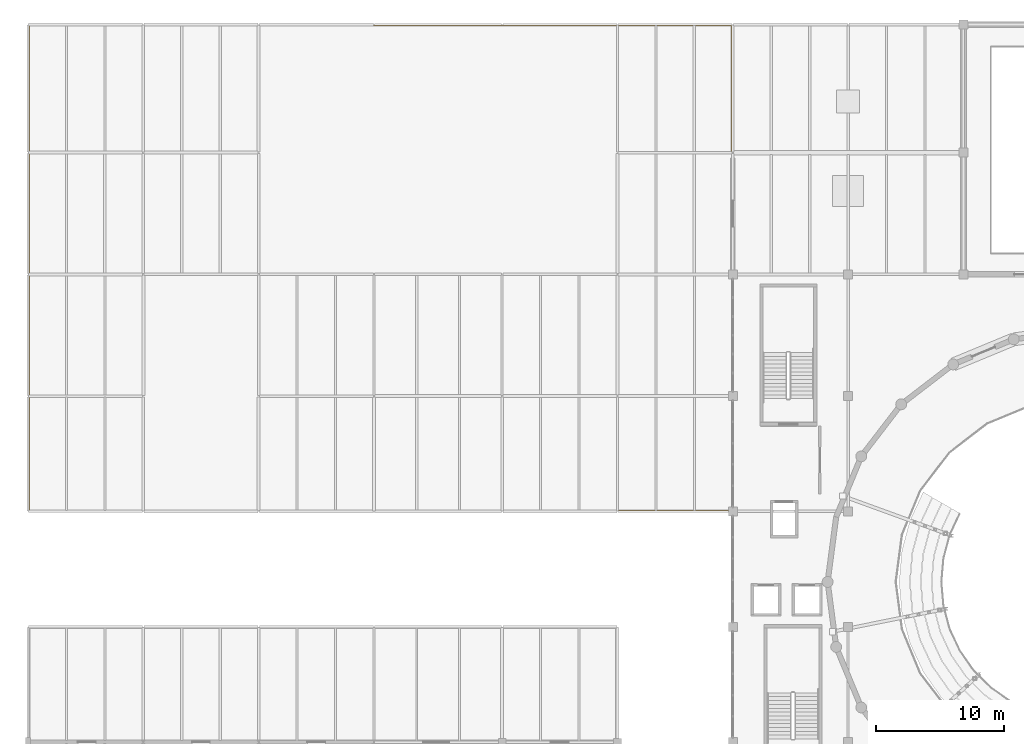
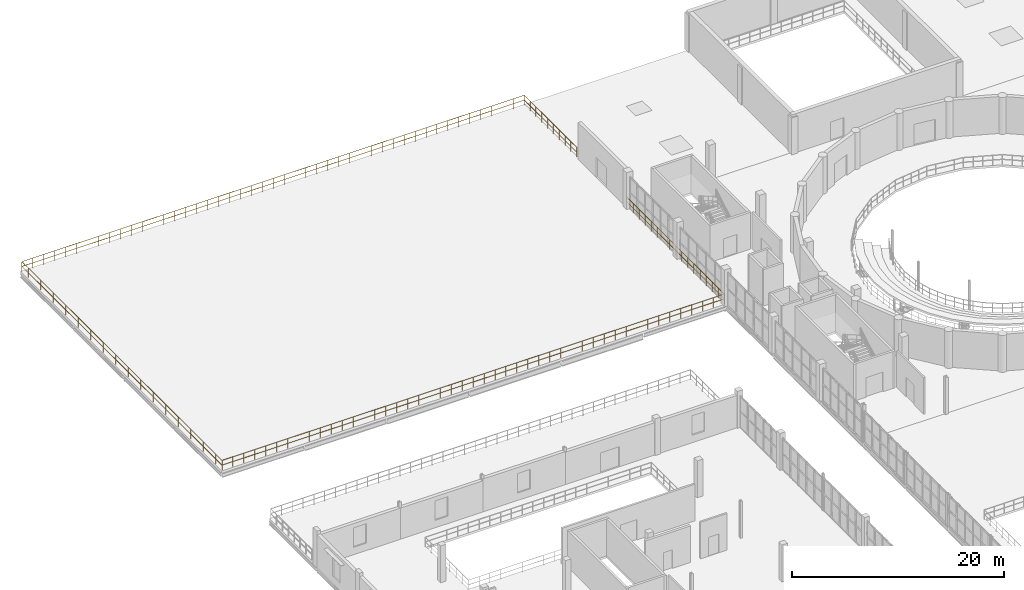
# One storey, part 69 of 73: 1 railing.
"""IFC4 building model written with IfcOpenShell, lengths in metres."""

from ifc_helpers import new_model, si_unit, direction, frame, origin, origin_2d, place, context, subcontext, project, spatial, circle, extrude, material, type_object, element, save


model = new_model("IFC4")

# Units and contexts
model_context = context("Model", 3, precision=1e-05, world=origin(), true_north=direction((0.0, 1.0)))
body_context = subcontext(model_context, "Body", "Model", "MODEL_VIEW")
ifc_project = project(units=[si_unit("LENGTHUNIT", "METRE"), si_unit("AREAUNIT", "SQUARE_METRE"), si_unit("VOLUMEUNIT", "CUBIC_METRE"), si_unit("PLANEANGLEUNIT", "RADIAN"), si_unit("MASSUNIT", "GRAM", prefix="KILO")], contexts=[model_context])

# Site, building, storey
site_placement = place(None, origin())
site = spatial("IfcSite", under=ifc_project, at=site_placement, CompositionType="ELEMENT")
building_placement = place(site_placement, origin())
building = spatial("IfcBuilding", under=site, at=building_placement, Name="Marnock Terrace Opera House", CompositionType="ELEMENT")
storey_placement = place(building_placement, frame((0.0, 0.0, 14.699951171875)))
storey = spatial("IfcBuildingStorey", under=building, at=storey_placement, Name="L03", CompositionType="ELEMENT", Elevation=14.699951171875)

# Railing
ifc_material = material(Name="Basket Range sandstone ashlar masonry", Category="masonry")
railing_type = type_object("IfcRailingType", Name="RL-BALUST-1150", PredefinedType="BALUSTRADE", material=ifc_material)
railing_placement = place(storey_placement, frame((54.89990234375, 84.5, 0.0)))
element("IfcRailing", 1, at=railing_placement, inside=storey, type_object=railing_type, Name="L03 roof-garden balustrade BAL-L03-V4-PERIM", PredefinedType="BALUSTRADE", context=body_context, shape_type="SweptSolid", body=[
    extrude(circle(Radius=0.02392578125, at=origin_2d()), frame((0.0, 0.0, 1.1259765625), z_axis=(0.0, -1.0, 0.0), x_axis=(1.0, 0.0, 0.0)), (0.0, 0.0, 1.0), 18.39990234375),
    extrude(circle(Radius=0.02392578125, at=origin_2d()), frame((0.0, 0.0, 0.574951171875), z_axis=(0.0, -1.0, 0.0), x_axis=(1.0, 0.0, 0.0)), (0.0, 0.0, 1.0), 18.39990234375),
    extrude(circle(Radius=0.02392578125, at=origin_2d()), frame((0.0, -18.39990234375, 1.1259765625), z_axis=(-1.0, 0.0, 0.0), x_axis=(0.0, -1.0, 0.0)), (0.0, 0.0, 1.0), 54.7998046875),
    extrude(circle(Radius=0.02392578125, at=origin_2d()), frame((0.0, -18.39990234375, 0.574951171875), z_axis=(-1.0, 0.0, 0.0), x_axis=(0.0, -1.0, 0.0)), (0.0, 0.0, 1.0), 54.7998046875),
    extrude(circle(Radius=0.02392578125, at=origin_2d()), frame((-54.7998046875, -18.39990234375, 1.1259765625), z_axis=(0.0, 1.0, 0.0), x_axis=(-1.0, 0.0, 0.0)), (0.0, 0.0, 1.0), 37.7998046875),
    extrude(circle(Radius=0.02392578125, at=origin_2d()), frame((-54.7998046875, -18.39990234375, 0.574951171875), z_axis=(0.0, 1.0, 0.0), x_axis=(-1.0, 0.0, 0.0)), (0.0, 0.0, 1.0), 37.7998046875),
    extrude(circle(Radius=0.02392578125, at=origin_2d()), frame((-54.7998046875, 19.39990234375, 1.1259765625), z_axis=(1.0, 0.0, 0.0), x_axis=(0.0, 1.0, 0.0)), (0.0, 0.0, 1.0), 54.7998046875),
    extrude(circle(Radius=0.02392578125, at=origin_2d()), frame((-54.7998046875, 19.39990234375, 0.574951171875), z_axis=(1.0, 0.0, 0.0), x_axis=(0.0, 1.0, 0.0)), (0.0, 0.0, 1.0), 54.7998046875),
    extrude(circle(Radius=0.02392578125, at=origin_2d()), frame((0.0, 19.39990234375, 1.1259765625), z_axis=(0.0, -1.0, 0.0), x_axis=(1.0, 0.0, 0.0)), (0.0, 0.0, 1.0), 9.89990234375),
    extrude(circle(Radius=0.02392578125, at=origin_2d()), frame((0.0, 19.39990234375, 0.574951171875), z_axis=(0.0, -1.0, 0.0), x_axis=(1.0, 0.0, 0.0)), (0.0, 0.0, 1.0), 9.89990234375),
    extrude(circle(Radius=0.02099609375, at=origin_2d()), origin(), (0.0, 0.0, 1.0), 1.101806640625),
    extrude(circle(Radius=0.02099609375, at=origin_2d()), frame((0.0, -1.14990234375, 0.0)), (0.0, 0.0, 1.0), 1.101806640625),
    extrude(circle(Radius=0.02099609375, at=origin_2d()), frame((0.0, -2.300048828125, 0.0)), (0.0, 0.0, 1.0), 1.101806640625),
    extrude(circle(Radius=0.02099609375, at=origin_2d()), frame((0.0, -3.449951171875, 0.0)), (0.0, 0.0, 1.0), 1.101806640625),
    extrude(circle(Radius=0.02099609375, at=origin_2d()), frame((0.0, -4.60009765625, 0.0)), (0.0, 0.0, 1.0), 1.101806640625),
    extrude(circle(Radius=0.02099609375, at=origin_2d()), frame((0.0, -5.75, 0.0)), (0.0, 0.0, 1.0), 1.101806640625),
    extrude(circle(Radius=0.02099609375, at=origin_2d()), frame((0.0, -6.89990234375, 0.0)), (0.0, 0.0, 1.0), 1.101806640625),
    extrude(circle(Radius=0.02099609375, at=origin_2d()), frame((0.0, -8.050048828125, 0.0)), (0.0, 0.0, 1.0), 1.101806640625),
    extrude(circle(Radius=0.02099609375, at=origin_2d()), frame((0.0, -9.199951171875, 0.0)), (0.0, 0.0, 1.0), 1.101806640625),
    extrude(circle(Radius=0.02099609375, at=origin_2d()), frame((0.0, -10.349853515625, 0.0)), (0.0, 0.0, 1.0), 1.101806640625),
    extrude(circle(Radius=0.02099609375, at=origin_2d()), frame((0.0, -11.5, 0.0)), (0.0, 0.0, 1.0), 1.101806640625),
    extrude(circle(Radius=0.02099609375, at=origin_2d()), frame((0.0, -12.64990234375, 0.0)), (0.0, 0.0, 1.0), 1.101806640625),
    extrude(circle(Radius=0.02099609375, at=origin_2d()), frame((0.0, -13.7998046875, 0.0)), (0.0, 0.0, 1.0), 1.101806640625),
    extrude(circle(Radius=0.02099609375, at=origin_2d()), frame((0.0, -14.949951171875, 0.0)), (0.0, 0.0, 1.0), 1.101806640625),
    extrude(circle(Radius=0.02099609375, at=origin_2d()), frame((0.0, -16.099853515625, 0.0)), (0.0, 0.0, 1.0), 1.101806640625),
    extrude(circle(Radius=0.02099609375, at=origin_2d()), frame((0.0, -17.25, 0.0)), (0.0, 0.0, 1.0), 1.101806640625),
    extrude(circle(Radius=0.02099609375, at=origin_2d()), frame((0.0, -18.39990234375, 0.0)), (0.0, 0.0, 1.0), 1.101806640625),
    extrude(circle(Radius=0.02099609375, at=origin_2d()), frame((-1.19140625, -18.39990234375, 0.0)), (0.0, 0.0, 1.0), 1.101806640625),
    extrude(circle(Radius=0.02099609375, at=origin_2d()), frame((-2.382568359375, -18.39990234375, 0.0)), (0.0, 0.0, 1.0), 1.101806640625),
    extrude(circle(Radius=0.02099609375, at=origin_2d()), frame((-3.573974609375, -18.39990234375, 0.0)), (0.0, 0.0, 1.0), 1.101806640625),
    extrude(circle(Radius=0.02099609375, at=origin_2d()), frame((-4.76513671875, -18.39990234375, 0.0)), (0.0, 0.0, 1.0), 1.101806640625),
    extrude(circle(Radius=0.02099609375, at=origin_2d()), frame((-5.95654296875, -18.39990234375, 0.0)), (0.0, 0.0, 1.0), 1.101806640625),
    extrude(circle(Radius=0.02099609375, at=origin_2d()), frame((-7.147705078125, -18.39990234375, 0.0)), (0.0, 0.0, 1.0), 1.101806640625),
    extrude(circle(Radius=0.02099609375, at=origin_2d()), frame((-8.339111328125, -18.39990234375, 0.0)), (0.0, 0.0, 1.0), 1.101806640625),
    extrude(circle(Radius=0.02099609375, at=origin_2d()), frame((-9.530517578125, -18.39990234375, 0.0)), (0.0, 0.0, 1.0), 1.101806640625),
    extrude(circle(Radius=0.02099609375, at=origin_2d()), frame((-10.7216796875, -18.39990234375, 0.0)), (0.0, 0.0, 1.0), 1.101806640625),
    extrude(circle(Radius=0.02099609375, at=origin_2d()), frame((-11.9130859375, -18.39990234375, 0.0)), (0.0, 0.0, 1.0), 1.101806640625),
    extrude(circle(Radius=0.02099609375, at=origin_2d()), frame((-13.104248046875, -18.39990234375, 0.0)), (0.0, 0.0, 1.0), 1.101806640625),
    extrude(circle(Radius=0.02099609375, at=origin_2d()), frame((-14.295654296875, -18.39990234375, 0.0)), (0.0, 0.0, 1.0), 1.101806640625),
    extrude(circle(Radius=0.02099609375, at=origin_2d()), frame((-15.48681640625, -18.39990234375, 0.0)), (0.0, 0.0, 1.0), 1.101806640625),
    extrude(circle(Radius=0.02099609375, at=origin_2d()), frame((-16.67822265625, -18.39990234375, 0.0)), (0.0, 0.0, 1.0), 1.101806640625),
    extrude(circle(Radius=0.02099609375, at=origin_2d()), frame((-17.869384765625, -18.39990234375, 0.0)), (0.0, 0.0, 1.0), 1.101806640625),
    extrude(circle(Radius=0.02099609375, at=origin_2d()), frame((-19.060791015625, -18.39990234375, 0.0)), (0.0, 0.0, 1.0), 1.101806640625),
    extrude(circle(Radius=0.02099609375, at=origin_2d()), frame((-20.252197265625, -18.39990234375, 0.0)), (0.0, 0.0, 1.0), 1.101806640625),
    extrude(circle(Radius=0.02099609375, at=origin_2d()), frame((-21.443359375, -18.39990234375, 0.0)), (0.0, 0.0, 1.0), 1.101806640625),
    extrude(circle(Radius=0.02099609375, at=origin_2d()), frame((-22.634765625, -18.39990234375, 0.0)), (0.0, 0.0, 1.0), 1.101806640625),
    extrude(circle(Radius=0.02099609375, at=origin_2d()), frame((-23.825927734375, -18.39990234375, 0.0)), (0.0, 0.0, 1.0), 1.101806640625),
    extrude(circle(Radius=0.02099609375, at=origin_2d()), frame((-25.017333984375, -18.39990234375, 0.0)), (0.0, 0.0, 1.0), 1.101806640625),
    extrude(circle(Radius=0.02099609375, at=origin_2d()), frame((-26.20849609375, -18.39990234375, 0.0)), (0.0, 0.0, 1.0), 1.101806640625),
    extrude(circle(Radius=0.02099609375, at=origin_2d()), frame((-27.39990234375, -18.39990234375, 0.0)), (0.0, 0.0, 1.0), 1.101806640625),
    extrude(circle(Radius=0.02099609375, at=origin_2d()), frame((-28.59130859375, -18.39990234375, 0.0)), (0.0, 0.0, 1.0), 1.101806640625),
    extrude(circle(Radius=0.02099609375, at=origin_2d()), frame((-29.782470703125, -18.39990234375, 0.0)), (0.0, 0.0, 1.0), 1.101806640625),
    extrude(circle(Radius=0.02099609375, at=origin_2d()), frame((-30.973876953125, -18.39990234375, 0.0)), (0.0, 0.0, 1.0), 1.101806640625),
    extrude(circle(Radius=0.02099609375, at=origin_2d()), frame((-32.1650390625, -18.39990234375, 0.0)), (0.0, 0.0, 1.0), 1.101806640625),
    extrude(circle(Radius=0.02099609375, at=origin_2d()), frame((-33.3564453125, -18.39990234375, 0.0)), (0.0, 0.0, 1.0), 1.101806640625),
    extrude(circle(Radius=0.02099609375, at=origin_2d()), frame((-34.547607421875, -18.39990234375, 0.0)), (0.0, 0.0, 1.0), 1.101806640625),
    extrude(circle(Radius=0.02099609375, at=origin_2d()), frame((-35.739013671875, -18.39990234375, 0.0)), (0.0, 0.0, 1.0), 1.101806640625),
    extrude(circle(Radius=0.02099609375, at=origin_2d()), frame((-36.930419921875, -18.39990234375, 0.0)), (0.0, 0.0, 1.0), 1.101806640625),
    extrude(circle(Radius=0.02099609375, at=origin_2d()), frame((-38.12158203125, -18.39990234375, 0.0)), (0.0, 0.0, 1.0), 1.101806640625),
    extrude(circle(Radius=0.02099609375, at=origin_2d()), frame((-39.31298828125, -18.39990234375, 0.0)), (0.0, 0.0, 1.0), 1.101806640625),
    extrude(circle(Radius=0.02099609375, at=origin_2d()), frame((-40.504150390625, -18.39990234375, 0.0)), (0.0, 0.0, 1.0), 1.101806640625),
    extrude(circle(Radius=0.02099609375, at=origin_2d()), frame((-41.695556640625, -18.39990234375, 0.0)), (0.0, 0.0, 1.0), 1.101806640625),
    extrude(circle(Radius=0.02099609375, at=origin_2d()), frame((-42.88671875, -18.39990234375, 0.0)), (0.0, 0.0, 1.0), 1.101806640625),
    extrude(circle(Radius=0.02099609375, at=origin_2d()), frame((-44.078125, -18.39990234375, 0.0)), (0.0, 0.0, 1.0), 1.101806640625),
    extrude(circle(Radius=0.02099609375, at=origin_2d()), frame((-45.269287109375, -18.39990234375, 0.0)), (0.0, 0.0, 1.0), 1.101806640625),
    extrude(circle(Radius=0.02099609375, at=origin_2d()), frame((-46.460693359375, -18.39990234375, 0.0)), (0.0, 0.0, 1.0), 1.101806640625),
    extrude(circle(Radius=0.02099609375, at=origin_2d()), frame((-47.652099609375, -18.39990234375, 0.0)), (0.0, 0.0, 1.0), 1.101806640625),
    extrude(circle(Radius=0.02099609375, at=origin_2d()), frame((-48.84326171875, -18.39990234375, 0.0)), (0.0, 0.0, 1.0), 1.101806640625),
    extrude(circle(Radius=0.02099609375, at=origin_2d()), frame((-50.03466796875, -18.39990234375, 0.0)), (0.0, 0.0, 1.0), 1.101806640625),
    extrude(circle(Radius=0.02099609375, at=origin_2d()), frame((-51.225830078125, -18.39990234375, 0.0)), (0.0, 0.0, 1.0), 1.101806640625),
    extrude(circle(Radius=0.02099609375, at=origin_2d()), frame((-52.417236328125, -18.39990234375, 0.0)), (0.0, 0.0, 1.0), 1.101806640625),
    extrude(circle(Radius=0.02099609375, at=origin_2d()), frame((-53.6083984375, -18.39990234375, 0.0)), (0.0, 0.0, 1.0), 1.101806640625),
    extrude(circle(Radius=0.02099609375, at=origin_2d()), frame((-54.7998046875, -18.39990234375, 0.0)), (0.0, 0.0, 1.0), 1.101806640625),
    extrude(circle(Radius=0.02099609375, at=origin_2d()), frame((-54.7998046875, -17.21875, 0.0)), (0.0, 0.0, 1.0), 1.101806640625),
    extrude(circle(Radius=0.02099609375, at=origin_2d()), frame((-54.7998046875, -16.037353515625, 0.0)), (0.0, 0.0, 1.0), 1.101806640625),
    extrude(circle(Radius=0.02099609375, at=origin_2d()), frame((-54.7998046875, -14.856201171875, 0.0)), (0.0, 0.0, 1.0), 1.101806640625),
    extrude(circle(Radius=0.02099609375, at=origin_2d()), frame((-54.7998046875, -13.6748046875, 0.0)), (0.0, 0.0, 1.0), 1.101806640625),
    extrude(circle(Radius=0.02099609375, at=origin_2d()), frame((-54.7998046875, -12.49365234375, 0.0)), (0.0, 0.0, 1.0), 1.101806640625),
    extrude(circle(Radius=0.02099609375, at=origin_2d()), frame((-54.7998046875, -11.3125, 0.0)), (0.0, 0.0, 1.0), 1.101806640625),
    extrude(circle(Radius=0.02099609375, at=origin_2d()), frame((-54.7998046875, -10.131103515625, 0.0)), (0.0, 0.0, 1.0), 1.101806640625),
    extrude(circle(Radius=0.02099609375, at=origin_2d()), frame((-54.7998046875, -8.949951171875, 0.0)), (0.0, 0.0, 1.0), 1.101806640625),
    extrude(circle(Radius=0.02099609375, at=origin_2d()), frame((-54.7998046875, -7.768798828125, 0.0)), (0.0, 0.0, 1.0), 1.101806640625),
    extrude(circle(Radius=0.02099609375, at=origin_2d()), frame((-54.7998046875, -6.58740234375, 0.0)), (0.0, 0.0, 1.0), 1.101806640625),
    extrude(circle(Radius=0.02099609375, at=origin_2d()), frame((-54.7998046875, -5.40625, 0.0)), (0.0, 0.0, 1.0), 1.101806640625),
    extrude(circle(Radius=0.02099609375, at=origin_2d()), frame((-54.7998046875, -4.22509765625, 0.0)), (0.0, 0.0, 1.0), 1.101806640625),
    extrude(circle(Radius=0.02099609375, at=origin_2d()), frame((-54.7998046875, -3.043701171875, 0.0)), (0.0, 0.0, 1.0), 1.101806640625),
    extrude(circle(Radius=0.02099609375, at=origin_2d()), frame((-54.7998046875, -1.862548828125, 0.0)), (0.0, 0.0, 1.0), 1.101806640625),
    extrude(circle(Radius=0.02099609375, at=origin_2d()), frame((-54.7998046875, -0.68115234375, 0.0)), (0.0, 0.0, 1.0), 1.101806640625),
    extrude(circle(Radius=0.02099609375, at=origin_2d()), frame((-54.7998046875, 0.5, 0.0)), (0.0, 0.0, 1.0), 1.101806640625),
    extrude(circle(Radius=0.02099609375, at=origin_2d()), frame((-54.7998046875, 1.68115234375, 0.0)), (0.0, 0.0, 1.0), 1.101806640625),
    extrude(circle(Radius=0.02099609375, at=origin_2d()), frame((-54.7998046875, 2.862548828125, 0.0)), (0.0, 0.0, 1.0), 1.101806640625),
    extrude(circle(Radius=0.02099609375, at=origin_2d()), frame((-54.7998046875, 4.043701171875, 0.0)), (0.0, 0.0, 1.0), 1.101806640625),
    extrude(circle(Radius=0.02099609375, at=origin_2d()), frame((-54.7998046875, 5.22509765625, 0.0)), (0.0, 0.0, 1.0), 1.101806640625),
    extrude(circle(Radius=0.02099609375, at=origin_2d()), frame((-54.7998046875, 6.40625, 0.0)), (0.0, 0.0, 1.0), 1.101806640625),
    extrude(circle(Radius=0.02099609375, at=origin_2d()), frame((-54.7998046875, 7.58740234375, 0.0)), (0.0, 0.0, 1.0), 1.101806640625),
    extrude(circle(Radius=0.02099609375, at=origin_2d()), frame((-54.7998046875, 8.768798828125, 0.0)), (0.0, 0.0, 1.0), 1.101806640625),
    extrude(circle(Radius=0.02099609375, at=origin_2d()), frame((-54.7998046875, 9.949951171875, 0.0)), (0.0, 0.0, 1.0), 1.101806640625),
    extrude(circle(Radius=0.02099609375, at=origin_2d()), frame((-54.7998046875, 11.131103515625, 0.0)), (0.0, 0.0, 1.0), 1.101806640625),
    extrude(circle(Radius=0.02099609375, at=origin_2d()), frame((-54.7998046875, 12.3125, 0.0)), (0.0, 0.0, 1.0), 1.101806640625),
    extrude(circle(Radius=0.02099609375, at=origin_2d()), frame((-54.7998046875, 13.49365234375, 0.0)), (0.0, 0.0, 1.0), 1.101806640625),
    extrude(circle(Radius=0.02099609375, at=origin_2d()), frame((-54.7998046875, 14.6748046875, 0.0)), (0.0, 0.0, 1.0), 1.101806640625),
    extrude(circle(Radius=0.02099609375, at=origin_2d()), frame((-54.7998046875, 15.856201171875, 0.0)), (0.0, 0.0, 1.0), 1.101806640625),
    extrude(circle(Radius=0.02099609375, at=origin_2d()), frame((-54.7998046875, 17.037353515625, 0.0)), (0.0, 0.0, 1.0), 1.101806640625),
    extrude(circle(Radius=0.02099609375, at=origin_2d()), frame((-54.7998046875, 18.21875, 0.0)), (0.0, 0.0, 1.0), 1.101806640625),
    extrude(circle(Radius=0.02099609375, at=origin_2d()), frame((-54.7998046875, 19.39990234375, 0.0)), (0.0, 0.0, 1.0), 1.101806640625),
    extrude(circle(Radius=0.02099609375, at=origin_2d()), frame((-53.6083984375, 19.39990234375, 0.0)), (0.0, 0.0, 1.0), 1.101806640625),
    extrude(circle(Radius=0.02099609375, at=origin_2d()), frame((-52.417236328125, 19.39990234375, 0.0)), (0.0, 0.0, 1.0), 1.101806640625),
    extrude(circle(Radius=0.02099609375, at=origin_2d()), frame((-51.225830078125, 19.39990234375, 0.0)), (0.0, 0.0, 1.0), 1.101806640625),
    extrude(circle(Radius=0.02099609375, at=origin_2d()), frame((-50.03466796875, 19.39990234375, 0.0)), (0.0, 0.0, 1.0), 1.101806640625),
    extrude(circle(Radius=0.02099609375, at=origin_2d()), frame((-48.84326171875, 19.39990234375, 0.0)), (0.0, 0.0, 1.0), 1.101806640625),
    extrude(circle(Radius=0.02099609375, at=origin_2d()), frame((-47.652099609375, 19.39990234375, 0.0)), (0.0, 0.0, 1.0), 1.101806640625),
    extrude(circle(Radius=0.02099609375, at=origin_2d()), frame((-46.460693359375, 19.39990234375, 0.0)), (0.0, 0.0, 1.0), 1.101806640625),
    extrude(circle(Radius=0.02099609375, at=origin_2d()), frame((-45.269287109375, 19.39990234375, 0.0)), (0.0, 0.0, 1.0), 1.101806640625),
    extrude(circle(Radius=0.02099609375, at=origin_2d()), frame((-44.078125, 19.39990234375, 0.0)), (0.0, 0.0, 1.0), 1.101806640625),
    extrude(circle(Radius=0.02099609375, at=origin_2d()), frame((-42.88671875, 19.39990234375, 0.0)), (0.0, 0.0, 1.0), 1.101806640625),
    extrude(circle(Radius=0.02099609375, at=origin_2d()), frame((-41.695556640625, 19.39990234375, 0.0)), (0.0, 0.0, 1.0), 1.101806640625),
    extrude(circle(Radius=0.02099609375, at=origin_2d()), frame((-40.504150390625, 19.39990234375, 0.0)), (0.0, 0.0, 1.0), 1.101806640625),
    extrude(circle(Radius=0.02099609375, at=origin_2d()), frame((-39.31298828125, 19.39990234375, 0.0)), (0.0, 0.0, 1.0), 1.101806640625),
    extrude(circle(Radius=0.02099609375, at=origin_2d()), frame((-38.12158203125, 19.39990234375, 0.0)), (0.0, 0.0, 1.0), 1.101806640625),
    extrude(circle(Radius=0.02099609375, at=origin_2d()), frame((-36.930419921875, 19.39990234375, 0.0)), (0.0, 0.0, 1.0), 1.101806640625),
    extrude(circle(Radius=0.02099609375, at=origin_2d()), frame((-35.739013671875, 19.39990234375, 0.0)), (0.0, 0.0, 1.0), 1.101806640625),
    extrude(circle(Radius=0.02099609375, at=origin_2d()), frame((-34.547607421875, 19.39990234375, 0.0)), (0.0, 0.0, 1.0), 1.101806640625),
    extrude(circle(Radius=0.02099609375, at=origin_2d()), frame((-33.3564453125, 19.39990234375, 0.0)), (0.0, 0.0, 1.0), 1.101806640625),
    extrude(circle(Radius=0.02099609375, at=origin_2d()), frame((-32.1650390625, 19.39990234375, 0.0)), (0.0, 0.0, 1.0), 1.101806640625),
    extrude(circle(Radius=0.02099609375, at=origin_2d()), frame((-30.973876953125, 19.39990234375, 0.0)), (0.0, 0.0, 1.0), 1.101806640625),
    extrude(circle(Radius=0.02099609375, at=origin_2d()), frame((-29.782470703125, 19.39990234375, 0.0)), (0.0, 0.0, 1.0), 1.101806640625),
    extrude(circle(Radius=0.02099609375, at=origin_2d()), frame((-28.59130859375, 19.39990234375, 0.0)), (0.0, 0.0, 1.0), 1.101806640625),
    extrude(circle(Radius=0.02099609375, at=origin_2d()), frame((-27.39990234375, 19.39990234375, 0.0)), (0.0, 0.0, 1.0), 1.101806640625),
    extrude(circle(Radius=0.02099609375, at=origin_2d()), frame((-26.20849609375, 19.39990234375, 0.0)), (0.0, 0.0, 1.0), 1.101806640625),
    extrude(circle(Radius=0.02099609375, at=origin_2d()), frame((-25.017333984375, 19.39990234375, 0.0)), (0.0, 0.0, 1.0), 1.101806640625),
    extrude(circle(Radius=0.02099609375, at=origin_2d()), frame((-23.825927734375, 19.39990234375, 0.0)), (0.0, 0.0, 1.0), 1.101806640625),
    extrude(circle(Radius=0.02099609375, at=origin_2d()), frame((-22.634765625, 19.39990234375, 0.0)), (0.0, 0.0, 1.0), 1.101806640625),
    extrude(circle(Radius=0.02099609375, at=origin_2d()), frame((-21.443359375, 19.39990234375, 0.0)), (0.0, 0.0, 1.0), 1.101806640625),
    extrude(circle(Radius=0.02099609375, at=origin_2d()), frame((-20.252197265625, 19.39990234375, 0.0)), (0.0, 0.0, 1.0), 1.101806640625),
    extrude(circle(Radius=0.02099609375, at=origin_2d()), frame((-19.060791015625, 19.39990234375, 0.0)), (0.0, 0.0, 1.0), 1.101806640625),
    extrude(circle(Radius=0.02099609375, at=origin_2d()), frame((-17.869384765625, 19.39990234375, 0.0)), (0.0, 0.0, 1.0), 1.101806640625),
    extrude(circle(Radius=0.02099609375, at=origin_2d()), frame((-16.67822265625, 19.39990234375, 0.0)), (0.0, 0.0, 1.0), 1.101806640625),
    extrude(circle(Radius=0.02099609375, at=origin_2d()), frame((-15.48681640625, 19.39990234375, 0.0)), (0.0, 0.0, 1.0), 1.101806640625),
    extrude(circle(Radius=0.02099609375, at=origin_2d()), frame((-14.295654296875, 19.39990234375, 0.0)), (0.0, 0.0, 1.0), 1.101806640625),
    extrude(circle(Radius=0.02099609375, at=origin_2d()), frame((-13.104248046875, 19.39990234375, 0.0)), (0.0, 0.0, 1.0), 1.101806640625),
    extrude(circle(Radius=0.02099609375, at=origin_2d()), frame((-11.9130859375, 19.39990234375, 0.0)), (0.0, 0.0, 1.0), 1.101806640625),
    extrude(circle(Radius=0.02099609375, at=origin_2d()), frame((-10.7216796875, 19.39990234375, 0.0)), (0.0, 0.0, 1.0), 1.101806640625),
    extrude(circle(Radius=0.02099609375, at=origin_2d()), frame((-9.530517578125, 19.39990234375, 0.0)), (0.0, 0.0, 1.0), 1.101806640625),
    extrude(circle(Radius=0.02099609375, at=origin_2d()), frame((-8.339111328125, 19.39990234375, 0.0)), (0.0, 0.0, 1.0), 1.101806640625),
    extrude(circle(Radius=0.02099609375, at=origin_2d()), frame((-7.147705078125, 19.39990234375, 0.0)), (0.0, 0.0, 1.0), 1.101806640625),
    extrude(circle(Radius=0.02099609375, at=origin_2d()), frame((-5.95654296875, 19.39990234375, 0.0)), (0.0, 0.0, 1.0), 1.101806640625),
    extrude(circle(Radius=0.02099609375, at=origin_2d()), frame((-4.76513671875, 19.39990234375, 0.0)), (0.0, 0.0, 1.0), 1.101806640625),
    extrude(circle(Radius=0.02099609375, at=origin_2d()), frame((-3.573974609375, 19.39990234375, 0.0)), (0.0, 0.0, 1.0), 1.101806640625),
    extrude(circle(Radius=0.02099609375, at=origin_2d()), frame((-2.382568359375, 19.39990234375, 0.0)), (0.0, 0.0, 1.0), 1.101806640625),
    extrude(circle(Radius=0.02099609375, at=origin_2d()), frame((-1.19140625, 19.39990234375, 0.0)), (0.0, 0.0, 1.0), 1.101806640625),
    extrude(circle(Radius=0.02099609375, at=origin_2d()), frame((0.0, 19.39990234375, 0.0)), (0.0, 0.0, 1.0), 1.101806640625),
    extrude(circle(Radius=0.02099609375, at=origin_2d()), frame((0.0, 18.2998046875, 0.0)), (0.0, 0.0, 1.0), 1.101806640625),
    extrude(circle(Radius=0.02099609375, at=origin_2d()), frame((0.0, 17.199951171875, 0.0)), (0.0, 0.0, 1.0), 1.101806640625),
    extrude(circle(Radius=0.02099609375, at=origin_2d()), frame((0.0, 16.099853515625, 0.0)), (0.0, 0.0, 1.0), 1.101806640625),
    extrude(circle(Radius=0.02099609375, at=origin_2d()), frame((0.0, 15.0, 0.0)), (0.0, 0.0, 1.0), 1.101806640625),
    extrude(circle(Radius=0.02099609375, at=origin_2d()), frame((0.0, 13.89990234375, 0.0)), (0.0, 0.0, 1.0), 1.101806640625),
    extrude(circle(Radius=0.02099609375, at=origin_2d()), frame((0.0, 12.800048828125, 0.0)), (0.0, 0.0, 1.0), 1.101806640625),
    extrude(circle(Radius=0.02099609375, at=origin_2d()), frame((0.0, 11.699951171875, 0.0)), (0.0, 0.0, 1.0), 1.101806640625),
    extrude(circle(Radius=0.02099609375, at=origin_2d()), frame((0.0, 10.60009765625, 0.0)), (0.0, 0.0, 1.0), 1.101806640625),
    extrude(circle(Radius=0.02099609375, at=origin_2d()), frame((0.0, 9.5, 0.0)), (0.0, 0.0, 1.0), 1.101806640625),
])

save(model, "model.ifc")
